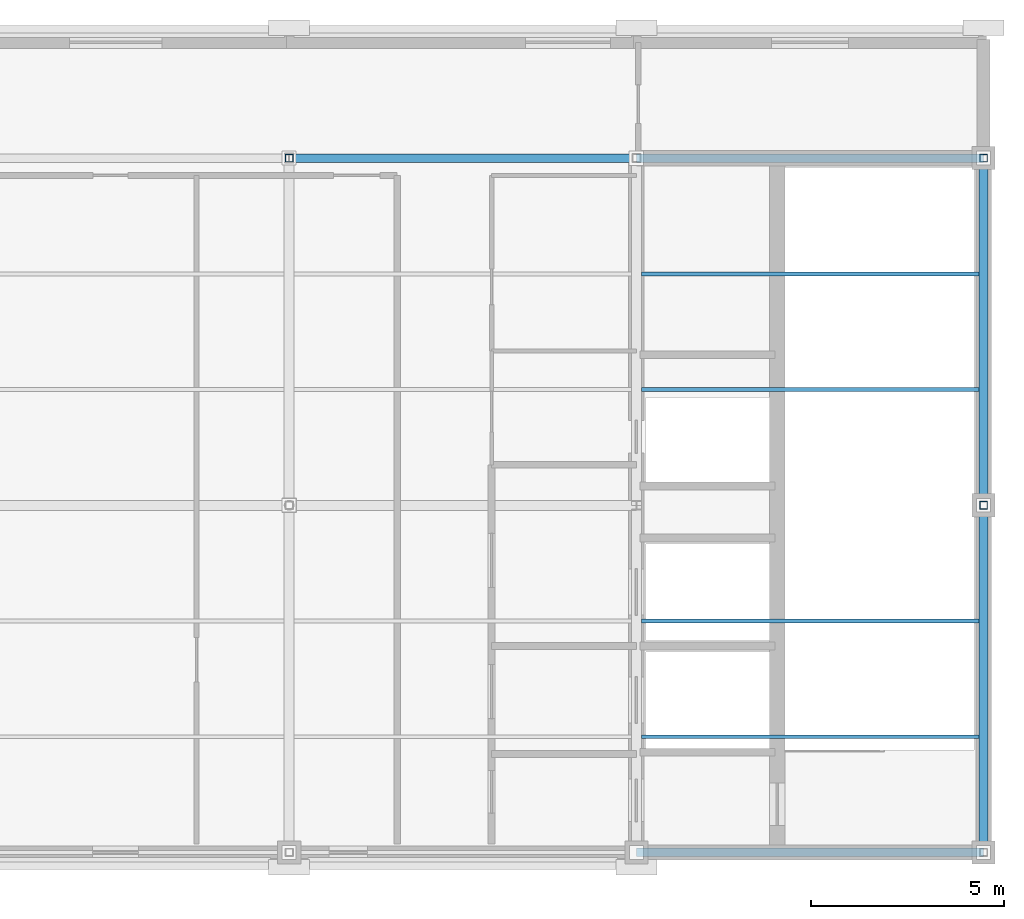
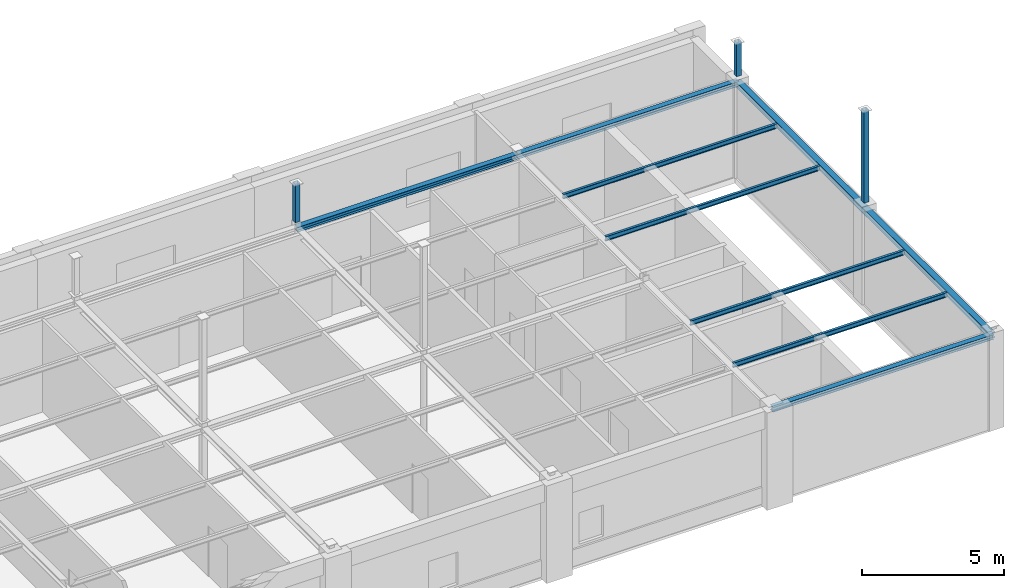
# One storey, part 7 of 13: 9 beams, 3 members.
"""IFC4 building model written with IfcOpenShell, lengths in metres."""

import ifcopenshell
import ifcopenshell.guid

model = None  # the IFC model being written
_history = None  # IfcOwnerHistory: only IFC2X3 demands one
_inside = {}  # id of a spatial element -> (the spatial element, [elements in it])
_under = {}  # id of a project, library or spatial element -> (it, [spatial elements below it])
_declared = {}  # id of a project -> (the project, [libraries it declares])
_typed = {}  # id of a type object -> (the type object, [elements of that type])
_made_of = {}  # id of a material, layer set ... -> (it, [elements and type objects made of it])


def new_model(schema):
    """Start an empty IFC model of exactly this schema.

    Asked for "IFC4X3", IfcOpenShell would pick the latest addendum, in which some entities
    have other attributes; the version numbers below select the first issue.
    IFC2X3 requires an IfcOwnerHistory on every rooted entity: one is made here for all.
    """
    global model, _history
    if schema == "IFC4X3":
        model = ifcopenshell.file(schema_version=(4, 3, 0, 0))
    else:
        model = ifcopenshell.file(schema=schema)
    _inside.clear()
    _under.clear()
    _declared.clear()
    _typed.clear()
    _made_of.clear()
    _history = None
    if model.schema == "IFC2X3":
        org = make("IfcOrganization", Name="unknown")
        user = make(
            "IfcPersonAndOrganization",
            ThePerson=make("IfcPerson", FamilyName="unknown"),
            TheOrganization=org,
        )
        app = make(
            "IfcApplication",
            ApplicationDeveloper=org,
            Version="unknown",
            ApplicationFullName="unknown",
            ApplicationIdentifier="unknown",
        )
        _history = make(
            "IfcOwnerHistory",
            OwningUser=user,
            OwningApplication=app,
            ChangeAction="ADDED",
            CreationDate=0,
        )
    return model


def make(cls, **values):
    """One entity of the class cls with the attributes given. An attribute that is None is left unset."""
    return model.create_entity(
        cls, **{name: value for name, value in values.items() if value is not None}
    )


def rooted(cls, **values):
    """An entity with a GlobalId (a new one), such as an element, a storey or a relation."""
    return make(cls, GlobalId=ifcopenshell.guid.new(), OwnerHistory=_history, **values)


def si_unit(unit_type, name, prefix=None):
    """IfcSIUnit, for example si_unit("LENGTHUNIT", "METRE", prefix="MILLI")."""
    return make("IfcSIUnit", UnitType=unit_type, Prefix=prefix, Name=name)


def assignment(units):
    """IfcUnitAssignment: the units of a project."""
    return None if units is None else make("IfcUnitAssignment", Units=units)


def point(xyz):
    """IfcCartesianPoint."""
    return None if xyz is None else make("IfcCartesianPoint", Coordinates=xyz)


def direction(xyz):
    """IfcDirection."""
    return None if xyz is None else make("IfcDirection", DirectionRatios=xyz)


def frame(location, z_axis=None, x_axis=None):
    """IfcAxis2Placement3D, a coordinate frame: its origin and axes. An axis left out is left unset."""
    return make(
        "IfcAxis2Placement3D",
        Location=point(location),
        Axis=direction(z_axis),
        RefDirection=direction(x_axis),
    )


def frame_2d(location, x_axis=None):
    """IfcAxis2Placement2D, a coordinate frame in the plane: its origin and x axis."""
    return make(
        "IfcAxis2Placement2D", Location=point(location), RefDirection=direction(x_axis)
    )


def origin():
    """The frame at (0, 0, 0) with its axes left unset."""
    return frame((0.0, 0.0, 0.0))


def origin_2d():
    """The frame at (0, 0) in the plane with its x axis left unset."""
    return frame_2d((0.0, 0.0))


def place(relative_to, where):
    """IfcLocalPlacement: puts the frame where relative to a parent placement (None: the world)."""
    return make(
        "IfcLocalPlacement", PlacementRelTo=relative_to, RelativePlacement=where
    )


def context(
    kind, dimensions, precision=None, world=None, true_north=None, identifier=None
):
    """IfcGeometricRepresentationContext, for example the 3D "Model" context."""
    return make(
        "IfcGeometricRepresentationContext",
        ContextIdentifier=identifier,
        ContextType=kind,
        CoordinateSpaceDimension=dimensions,
        Precision=precision,
        WorldCoordinateSystem=world,
        TrueNorth=true_north,
    )


def subcontext(parent, identifier, kind, view, scale=None):
    """IfcGeometricRepresentationSubContext, for example "Body" below "Model"."""
    return make(
        "IfcGeometricRepresentationSubContext",
        ContextIdentifier=identifier,
        ContextType=kind,
        ParentContext=parent,
        TargetScale=scale,
        TargetView=view,
    )


def project(units=None, contexts=None):
    """IfcProject with its units and contexts."""
    return rooted(
        "IfcProject",
        Name="project",
        RepresentationContexts=contexts,
        UnitsInContext=assignment(units),
    )


def spatial(cls, under=None, at=None, **own):
    """A site, building, storey or space (cls), placed at a placement, below another one or the project."""
    s = rooted(cls, ObjectPlacement=at, **own)
    if under is not None:
        _under.setdefault(under.id(), (under, []))[1].append(s)
    return s


def profile(cls, at=None, kind="AREA", **sizes):
    """A parametric profile (cls). Its sizes go by their IFC names, for example OverallWidth=200.0."""
    return make(cls, ProfileType=kind, Position=at, **sizes)


def hollow_rectangle(**sizes):
    """IfcRectangleHollowProfileDef."""
    return profile("IfcRectangleHollowProfileDef", **sizes)


def i_section(**sizes):
    """IfcIShapeProfileDef."""
    return profile("IfcIShapeProfileDef", **sizes)


def extrude(swept, where, along, depth):
    """IfcExtrudedAreaSolid: the profile swept, set in the frame where, extruded along a direction by depth."""
    return make(
        "IfcExtrudedAreaSolid",
        SweptArea=swept,
        Position=where,
        ExtrudedDirection=direction(along),
        Depth=depth,
    )


def shape(context_of_items, identifier, shape_type, items):
    """IfcShapeRepresentation: the items that make up one representation, for example the "Body"."""
    return make(
        "IfcShapeRepresentation",
        ContextOfItems=context_of_items,
        RepresentationIdentifier=identifier,
        RepresentationType=shape_type,
        Items=items,
    )


def material(Name=None, Category=None):
    """IfcMaterial."""
    return make("IfcMaterial", Name=Name, Category=Category)


def material_profile(
    of_material, cross_section, Name=None, Category=None, Priority=None
):
    """IfcMaterialProfile: a cross section and its material."""
    return make(
        "IfcMaterialProfile",
        Name=Name,
        Material=of_material,
        Profile=cross_section,
        Priority=Priority,
        Category=Category,
    )


def profile_set(profiles, Name=None, composite=None):
    """IfcMaterialProfileSet."""
    return make(
        "IfcMaterialProfileSet",
        Name=Name,
        MaterialProfiles=profiles,
        CompositeProfile=composite,
    )


def made_of(thing, what):
    """Note that an element or type object is made of a material, layer set ...; save() writes the relation."""
    if what is not None:
        _made_of.setdefault(what.id(), (what, []))[1].append(thing)
    return thing


def type_object(cls, material=None, **own):
    """A type object (cls), such as IfcWallType, which elements share."""
    return made_of(rooted(cls, **own), material)


def element(
    cls,
    number,
    at=None,
    inside=None,
    cuts=None,
    type_object=None,
    material=None,
    context=None,
    identifier="Body",
    shape_type=None,
    held_by="IfcProductDefinitionShape",
    body=None,
    shapes=None,
    **own,
):
    """One element of the class cls, such as IfcWall. Its Tag is "e" and its number.

    at: its placement. inside: the storey or other place that contains it. cuts: it is an
    opening in that element (IfcRelVoidsElement). A single representation is given by context,
    identifier, shape_type and body (its items); several are given by shapes. held_by: the class
    of the entity that holds the representations. save() writes the other relations.
    """
    e = rooted(cls, Tag="e%d" % number, ObjectPlacement=at, **own)
    if body is not None:
        shapes = [shape(context, identifier, shape_type, body)]
    if shapes is not None:
        e.Representation = make(held_by, Representations=shapes)
    if inside is not None:
        _inside.setdefault(inside.id(), (inside, []))[1].append(e)
    if cuts is not None:
        rooted(
            "IfcRelVoidsElement", RelatingBuildingElement=cuts, RelatedOpeningElement=e
        )
    if type_object is not None:
        _typed.setdefault(type_object.id(), (type_object, []))[1].append(e)
    return made_of(e, material)


def aggregate(whole, parts):
    """IfcRelAggregates: a whole, such as a stair, and the parts it consists of."""
    return rooted("IfcRelAggregates", RelatingObject=whole, RelatedObjects=parts)


def save(model, path):
    """Write the relations noted so far, then the file.

    IfcRelAggregates (storeys below a building ...), IfcRelContainedInSpatialStructure (elements
    in a storey), IfcRelDefinesByType, IfcRelAssociatesMaterial and IfcRelDeclares: one each for
    every whole, place, type object, material and project.
    """
    for whole, parts in _under.values():
        aggregate(whole, parts)
    for where, things in _inside.values():
        rooted(
            "IfcRelContainedInSpatialStructure",
            RelatedElements=things,
            RelatingStructure=where,
        )
    for kind, things in _typed.values():
        rooted("IfcRelDefinesByType", RelatedObjects=things, RelatingType=kind)
    for what, things in _made_of.values():
        rooted("IfcRelAssociatesMaterial", RelatedObjects=things, RelatingMaterial=what)
    for by, libraries in _declared.values():
        rooted("IfcRelDeclares", RelatingContext=by, RelatedDefinitions=libraries)
    model.write(path)


model = new_model("IFC4")

# Units and contexts
model_context = context("Model", 3, precision=1e-05, world=origin(), true_north=direction((0.0, 1.0)))
body_context = subcontext(model_context, "Body", "Model", "MODEL_VIEW")
ifc_project = project(units=[si_unit("LENGTHUNIT", "METRE"), si_unit("AREAUNIT", "SQUARE_METRE"), si_unit("VOLUMEUNIT", "CUBIC_METRE"), si_unit("PLANEANGLEUNIT", "RADIAN"), si_unit("MASSUNIT", "GRAM", prefix="KILO")], contexts=[model_context])

# Site, building, storey
site_placement = place(None, origin())
site = spatial("IfcSite", under=ifc_project, at=site_placement, CompositionType="ELEMENT")
building_placement = place(site_placement, origin())
building = spatial("IfcBuilding", under=site, at=building_placement, Name="Lykobir Media Centre", CompositionType="ELEMENT")
storey_placement = place(building_placement, frame((0.0, 0.0, 36.0)))
storey = spatial("IfcBuildingStorey", under=building, at=storey_placement, Name="L08", CompositionType="ELEMENT", Elevation=36.0)

# Beams
ifc_material = material(Name="Steel S355", Category="steel")
ifc_material_profile_1 = material_profile(ifc_material, i_section(OverallWidth=0.10009765625, OverallDepth=0.199951171875, WebThickness=0.005615234375, FlangeThickness=0.008544921875, at=origin_2d()), Name="IPE 200")
ifc_profile_set_1 = profile_set([ifc_material_profile_1], Name="Steel S355")
beam_type_1 = type_object("IfcBeamType", Name="JS-IPE200", PredefinedType="JOIST", material=ifc_profile_set_1)
for number, where, z_axis, x_axis, name in (
    (1, (72.1298828125, 3.0, 3.8798828125), (1.0, 0.0, 0.0), (0.0, 1.0, 0.0), "Beam BM-L08-0721-0030-0809-0030-3988"),
    (2, (72.1298828125, 6.0, 3.8798828125), (1.0, 0.0, 0.0), (0.0, 1.0, 0.0), "Beam BM-L08-0721-0060-0809-0060-3988"),
    (3, (72.1298828125, 12.0, 3.8798828125), (1.0, 0.0, 0.0), (0.0, 1.0, 0.0), "Beam BM-L08-0721-0120-0809-0120-3988"),
    (4, (72.1298828125, 15.0, 3.8798828125), (1.0, 0.0, 0.0), (0.0, 1.0, 0.0), "Beam BM-L08-0721-0150-0809-0150-3988"),
):
    element("IfcBeam", number, at=place(storey_placement, frame(where, z_axis=z_axis, x_axis=x_axis)), inside=storey, type_object=beam_type_1, Name=name, PredefinedType="JOIST", context=body_context, shape_type="SweptSolid", body=[
        extrude(i_section(OverallWidth=0.10009765625, OverallDepth=0.199951171875, WebThickness=0.005615234375, FlangeThickness=0.008544921875, at=origin_2d()), origin(), (0.0, 0.0, 1.0), 8.75),
    ])
ifc_material_profile_2 = material_profile(ifc_material, i_section(OverallWidth=0.219970703125, OverallDepth=0.2099609375, WebThickness=0.007080078125, FlangeThickness=0.010986328125, at=origin_2d()), Name="HEA 220")
ifc_profile_set_2 = profile_set([ifc_material_profile_2], Name="Steel S355")
beam_type_2 = type_object("IfcBeamType", Name="SP-HEA220", PredefinedType="SPANDREL", material=ifc_profile_set_2)
for number, where, z_axis, x_axis, name in (
    (5, (63.0, 18.0, 3.875), (1.0, 0.0, 0.0), (0.0, 1.0, 0.0), "Beam BM-L08-0630-0180-0720-0180-3988"),
    (6, (72.0, 18.0, 3.875), (1.0, 0.0, 0.0), (0.0, 1.0, 0.0), "Beam BM-L08-0720-0180-0810-0180-3988"),
):
    element("IfcBeam", number, at=place(storey_placement, frame(where, z_axis=z_axis, x_axis=x_axis)), inside=storey, type_object=beam_type_2, Name=name, PredefinedType="SPANDREL", context=body_context, shape_type="SweptSolid", body=[
        extrude(i_section(OverallWidth=0.219970703125, OverallDepth=0.2099609375, WebThickness=0.007080078125, FlangeThickness=0.010986328125, at=origin_2d()), origin(), (0.0, 0.0, 1.0), 9.0),
    ])
ifc_material_profile_3 = material_profile(ifc_material, i_section(OverallWidth=0.219970703125, OverallDepth=0.2099609375, WebThickness=0.007080078125, FlangeThickness=0.010986328125, at=origin_2d()), Name="HEA 220")
ifc_profile_set_3 = profile_set([ifc_material_profile_3], Name="Steel S355")
beam_type_3 = type_object("IfcBeamType", Name="SP-HEA220-E", PredefinedType="SPANDREL", material=ifc_profile_set_3)
beam_placement = place(storey_placement, frame((72.0, 0.0, 3.875), z_axis=(1.0, 0.0, 0.0), x_axis=(0.0, 1.0, 0.0)))
element("IfcBeam", 7, at=beam_placement, inside=storey, type_object=beam_type_3, Name="Beam BM-L08-0720-0000-0810-0000-3988", PredefinedType="SPANDREL", context=body_context, shape_type="SweptSolid", body=[
    extrude(i_section(OverallWidth=0.219970703125, OverallDepth=0.2099609375, WebThickness=0.007080078125, FlangeThickness=0.010986328125, at=origin_2d()), origin(), (0.0, 0.0, 1.0), 9.0),
])
ifc_material_profile_4 = material_profile(ifc_material, i_section(OverallWidth=0.239990234375, OverallDepth=0.22998046875, WebThickness=0.007568359375, FlangeThickness=0.011962890625, at=origin_2d()), Name="HEA 240")
ifc_profile_set_4 = profile_set([ifc_material_profile_4], Name="Steel S355")
beam_type_4 = type_object("IfcBeamType", Name="SP-HEA240-E", PredefinedType="SPANDREL", material=ifc_profile_set_4)
for number, where, z_axis, x_axis, name in (
    (8, (81.0, 0.0, 3.864990234375), (0.0, 1.0, 0.0), (-1.0, 0.0, 0.0), "Beam BM-L08-0810-0000-0810-0090-3986"),
    (9, (81.0, 9.0, 3.864990234375), (0.0, 1.0, 0.0), (-1.0, 0.0, 0.0), "Beam BM-L08-0810-0090-0810-0180-3986"),
):
    element("IfcBeam", number, at=place(storey_placement, frame(where, z_axis=z_axis, x_axis=x_axis)), inside=storey, type_object=beam_type_4, Name=name, PredefinedType="SPANDREL", context=body_context, shape_type="SweptSolid", body=[
        extrude(i_section(OverallWidth=0.239990234375, OverallDepth=0.22998046875, WebThickness=0.007568359375, FlangeThickness=0.011962890625, at=origin_2d()), origin(), (0.0, 0.0, 1.0), 9.0),
    ])

# Members
ifc_material_profile_5 = material_profile(ifc_material, hollow_rectangle(XDim=0.199951171875, YDim=0.199951171875, WallThickness=0.010009765625, at=origin_2d()), Name="SHS 200x200x10")
ifc_profile_set_5 = profile_set([ifc_material_profile_5], Name="Steel S355")
member_type = type_object("IfcMemberType", Name="TC-SHS200", PredefinedType="CHORD", material=ifc_profile_set_5)
member_1_placement = place(storey_placement, frame((63.0, 18.0, 4.199951171875), z_axis=(0.0, 0.0, 1.0), x_axis=(1.0, 0.0, 0.0)))
element("IfcMember", 10, at=member_1_placement, inside=storey, type_object=member_type, Name="Truss chord MEM2-L08-0630-0180-0402-0630-0180-0054", PredefinedType="CHORD", context=body_context, shape_type="SweptSolid", body=[
    extrude(hollow_rectangle(XDim=0.199951171875, YDim=0.199951171875, WallThickness=0.010009765625, at=origin_2d()), origin(), (0.0, 0.0, 1.0), 1.65576171875),
])
member_2_placement = place(storey_placement, frame((81.0, 9.0, 4.199951171875), z_axis=(0.0, 0.0, 1.0), x_axis=(1.0, 0.0, 0.0)))
element("IfcMember", 11, at=member_2_placement, inside=storey, type_object=member_type, Name="Truss chord MEM2-L08-0810-0090-0402-0810-0090-0056", PredefinedType="CHORD", context=body_context, shape_type="SweptSolid", body=[
    extrude(hollow_rectangle(XDim=0.199951171875, YDim=0.199951171875, WallThickness=0.010009765625, at=origin_2d()), origin(), (0.0, 0.0, 1.0), 3.97509765625),
])
member_3_placement = place(storey_placement, frame((81.0, 18.0, 4.199951171875), z_axis=(0.0, 0.0, 1.0), x_axis=(1.0, 0.0, 0.0)))
element("IfcMember", 12, at=member_3_placement, inside=storey, type_object=member_type, Name="Truss chord MEM2-L08-0810-0180-0402-0810-0180-0057", PredefinedType="CHORD", context=body_context, shape_type="SweptSolid", body=[
    extrude(hollow_rectangle(XDim=0.199951171875, YDim=0.199951171875, WallThickness=0.010009765625, at=origin_2d()), origin(), (0.0, 0.0, 1.0), 1.457763671875),
])

save(model, "model.ifc")
